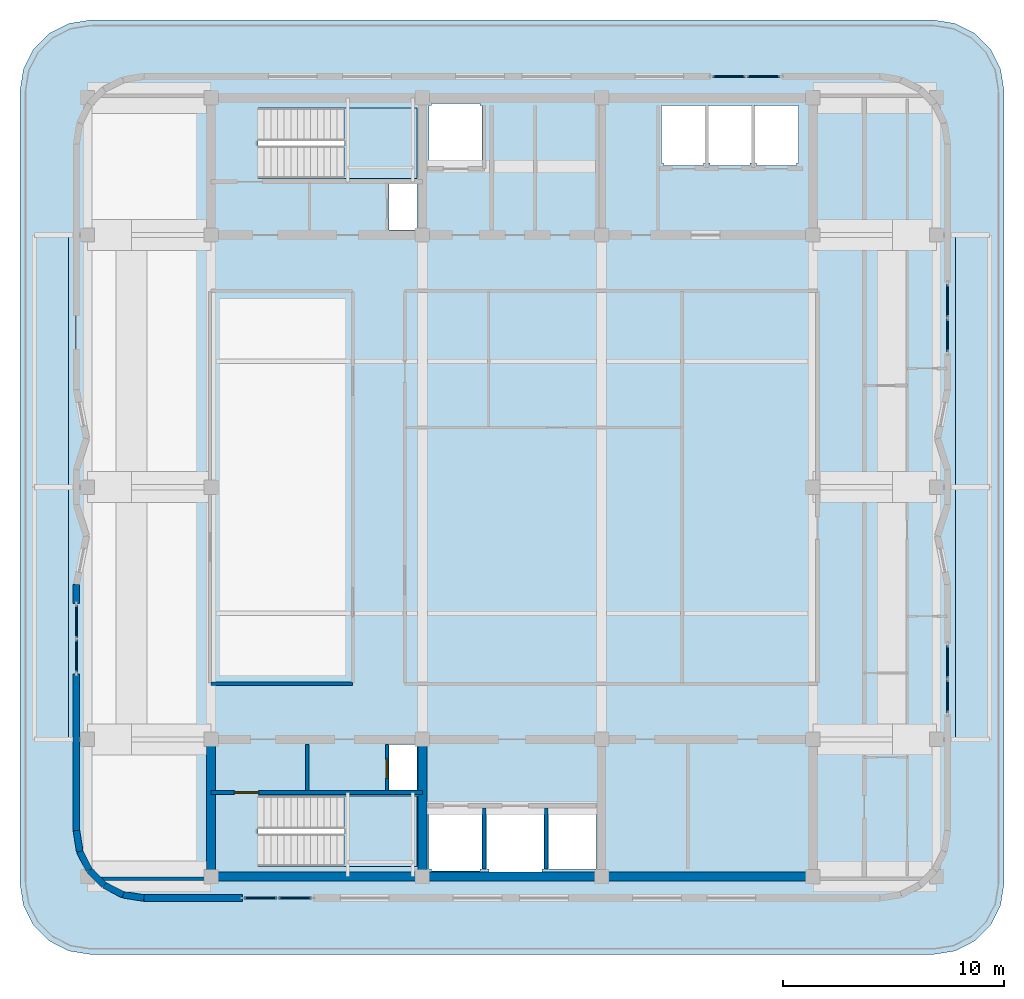
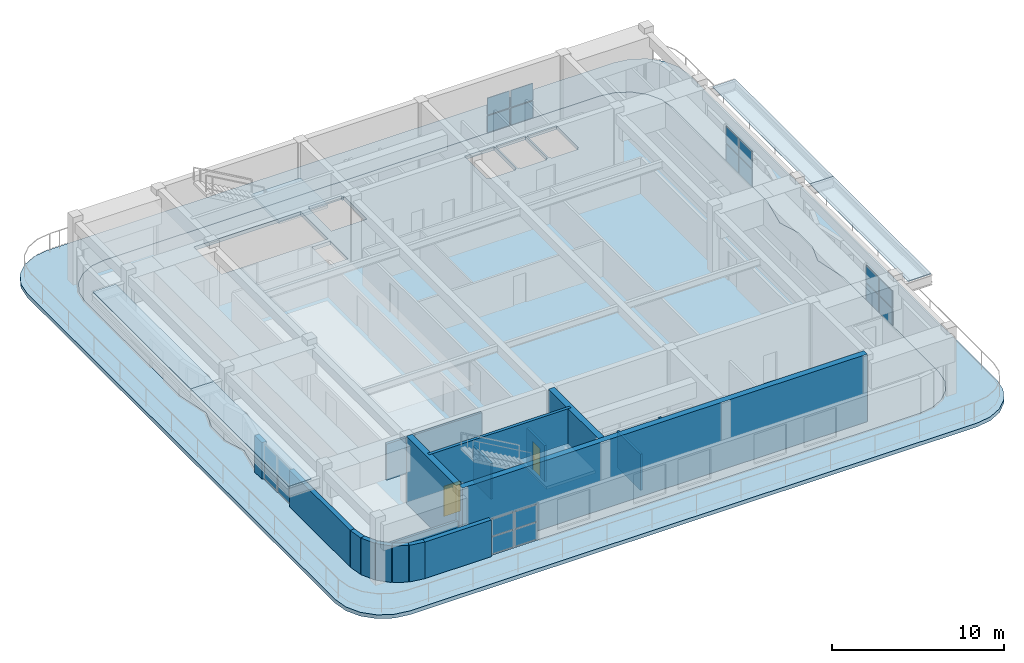
# One storey, part 5 of 12: 24 plates, 18 walls, 4 slabs, 2 doors, 2 openings, 7 elements without a shape of their own.
"""IFC4 building model written with IfcOpenShell, lengths in metres."""

from ifc_helpers import new_model, si_unit, direction, frame, frame_2d, origin, origin_2d, place, context, subcontext, project, spatial, polyline, rectangle, outline, extrude, material, layer, layer_set, type_object, element, fill, aggregate, save


model = new_model("IFC4")

# Units and contexts
model_context = context("Model", 3, precision=1e-05, world=origin(), true_north=direction((0.0, 1.0)))
body_context = subcontext(model_context, "Body", "Model", "MODEL_VIEW")
ifc_project = project(units=[si_unit("LENGTHUNIT", "METRE"), si_unit("AREAUNIT", "SQUARE_METRE"), si_unit("VOLUMEUNIT", "CUBIC_METRE"), si_unit("PLANEANGLEUNIT", "RADIAN"), si_unit("MASSUNIT", "GRAM", prefix="KILO")], contexts=[model_context])

# Site, building, storey
site_placement = place(None, origin())
site = spatial("IfcSite", under=ifc_project, at=site_placement, CompositionType="ELEMENT")
building_placement = place(site_placement, origin())
building = spatial("IfcBuilding", under=site, at=building_placement, Name="Svetorya Sky Lyceum", CompositionType="ELEMENT")
storey_placement = place(building_placement, frame((0.0, 0.0, 297.199951171875)))
storey = spatial("IfcBuildingStorey", under=building, at=storey_placement, Name="L75", CompositionType="ELEMENT", Elevation=297.199951171875)

# Curtain wall, plates
ifc_material_1 = material(Name="Thermally broken anodized aluminium and triple low-E glass", Category="aluminium")
curtain_wall_type = type_object("IfcCurtainWallType", Name="CW6-CRN-OBS", PredefinedType="NOTDEFINED", material=ifc_material_1)
curtain_wall_1_placement = place(storey_placement, origin())
curtain_wall_1 = element("IfcCurtainWall", 1, at=curtain_wall_1_placement, inside=storey, type_object=curtain_wall_type, Name="L75 Observatory Curtain Wall 6", PredefinedType="NOTDEFINED")
ifc_material_2 = material(Name="Acoustic laminated observatory triple glass", Category="glass")
ifc_layer_1 = layer(ifc_material_2, 0.055908203125)
ifc_layer_set_1 = layer_set([ifc_layer_1], Name="Acoustic laminated observatory triple glass")
plate_type_1 = type_object("IfcPlateType", Name="CWP-GLZ-56", PredefinedType="CURTAIN_PANEL", material=ifc_layer_set_1)
plate_1_placement = place(storey_placement, frame((27.831298828125, 9.6298828125, 0.073486328125), z_axis=(0.0, 0.0, 1.0), x_axis=(1.0, 0.0, 0.0)))
plate_1 = element("IfcPlate", 2, at=plate_1_placement, type_object=plate_type_1, Name="CW-6 panel 1.1", PredefinedType="CURTAIN_PANEL", context=body_context, shape_type="SweptSolid", body=[
    extrude(rectangle(XDim=1.4755859375, YDim=0.055908203125, at=origin_2d()), origin(), (0.0, 0.0, 1.0), 1.1904296875),
])
plate_2_placement = place(storey_placement, frame((27.831298828125, 9.6298828125, 1.336181640625), z_axis=(0.0, 0.0, 1.0), x_axis=(1.0, 0.0, 0.0)))
plate_2 = element("IfcPlate", 3, at=plate_2_placement, type_object=plate_type_1, Name="CW-6 panel 1.2", PredefinedType="CURTAIN_PANEL", context=body_context, shape_type="SweptSolid", body=[
    extrude(rectangle(XDim=1.4755859375, YDim=0.055908203125, at=origin_2d()), origin(), (0.0, 0.0, 1.0), 1.1904296875),
])
plate_3_placement = place(storey_placement, frame((29.388671875, 9.6298828125, 0.073486328125), z_axis=(0.0, 0.0, 1.0), x_axis=(1.0, 0.0, 0.0)))
plate_3 = element("IfcPlate", 4, at=plate_3_placement, type_object=plate_type_1, Name="CW-6 panel 2.1", PredefinedType="CURTAIN_PANEL", context=body_context, shape_type="SweptSolid", body=[
    extrude(rectangle(XDim=1.4755859375, YDim=0.055908203125, at=origin_2d()), origin(), (0.0, 0.0, 1.0), 1.1904296875),
])
plate_4_placement = place(storey_placement, frame((29.388671875, 9.6298828125, 1.336181640625), z_axis=(0.0, 0.0, 1.0), x_axis=(1.0, 0.0, 0.0)))
plate_4 = element("IfcPlate", 5, at=plate_4_placement, type_object=plate_type_1, Name="CW-6 panel 2.2", PredefinedType="CURTAIN_PANEL", context=body_context, shape_type="SweptSolid", body=[
    extrude(rectangle(XDim=1.4755859375, YDim=0.055908203125, at=origin_2d()), origin(), (0.0, 0.0, 1.0), 1.1904296875),
])
aggregate(curtain_wall_1, [plate_1, plate_2, plate_3, plate_4])

curtain_wall_2_placement = place(storey_placement, origin())
curtain_wall_2 = element("IfcCurtainWall", 6, at=curtain_wall_2_placement, inside=storey, type_object=curtain_wall_type, Name="L75 Observatory Curtain Wall 12", PredefinedType="NOTDEFINED")
plate_5_placement = place(storey_placement, frame((58.889892578125, 18.751220703125, 0.073486328125), z_axis=(0.0, 0.0, 1.0), x_axis=(0.0, 1.0, 0.0)))
plate_5 = element("IfcPlate", 7, at=plate_5_placement, type_object=plate_type_1, Name="CW-6 panel 1.1", PredefinedType="CURTAIN_PANEL", context=body_context, shape_type="SweptSolid", body=[
    extrude(rectangle(XDim=1.4755859375, YDim=0.055908203125, at=origin_2d()), origin(), (0.0, 0.0, 1.0), 1.1904296875),
])
plate_6_placement = place(storey_placement, frame((58.889892578125, 18.751220703125, 1.336181640625), z_axis=(0.0, 0.0, 1.0), x_axis=(0.0, 1.0, 0.0)))
plate_6 = element("IfcPlate", 8, at=plate_6_placement, type_object=plate_type_1, Name="CW-6 panel 1.2", PredefinedType="CURTAIN_PANEL", context=body_context, shape_type="SweptSolid", body=[
    extrude(rectangle(XDim=1.4755859375, YDim=0.055908203125, at=origin_2d()), origin(), (0.0, 0.0, 1.0), 1.1904296875),
])
plate_7_placement = place(storey_placement, frame((58.889892578125, 20.308837890625, 0.073486328125), z_axis=(0.0, 0.0, 1.0), x_axis=(0.0, 1.0, 0.0)))
plate_7 = element("IfcPlate", 9, at=plate_7_placement, type_object=plate_type_1, Name="CW-6 panel 2.1", PredefinedType="CURTAIN_PANEL", context=body_context, shape_type="SweptSolid", body=[
    extrude(rectangle(XDim=1.4755859375, YDim=0.055908203125, at=origin_2d()), origin(), (0.0, 0.0, 1.0), 1.1904296875),
])
plate_8_placement = place(storey_placement, frame((58.889892578125, 20.308837890625, 1.336181640625), z_axis=(0.0, 0.0, 1.0), x_axis=(0.0, 1.0, 0.0)))
plate_8 = element("IfcPlate", 10, at=plate_8_placement, type_object=plate_type_1, Name="CW-6 panel 2.2", PredefinedType="CURTAIN_PANEL", context=body_context, shape_type="SweptSolid", body=[
    extrude(rectangle(XDim=1.4755859375, YDim=0.055908203125, at=origin_2d()), origin(), (0.0, 0.0, 1.0), 1.1904296875),
])
aggregate(curtain_wall_2, [plate_5, plate_6, plate_7, plate_8])

curtain_wall_3_placement = place(storey_placement, origin())
curtain_wall_3 = element("IfcCurtainWall", 11, at=curtain_wall_3_placement, inside=storey, type_object=curtain_wall_type, Name="L75 Observatory Curtain Wall 18", PredefinedType="NOTDEFINED")
plate_9_placement = place(storey_placement, frame((58.889892578125, 35.0712890625, 0.073486328125), z_axis=(0.0, 0.0, 1.0), x_axis=(0.0, 1.0, 0.0)))
plate_9 = element("IfcPlate", 12, at=plate_9_placement, type_object=plate_type_1, Name="CW-6 panel 1.1", PredefinedType="CURTAIN_PANEL", context=body_context, shape_type="SweptSolid", body=[
    extrude(rectangle(XDim=1.4755859375, YDim=0.055908203125, at=origin_2d()), origin(), (0.0, 0.0, 1.0), 1.1904296875),
])
plate_10_placement = place(storey_placement, frame((58.889892578125, 35.0712890625, 1.336181640625), z_axis=(0.0, 0.0, 1.0), x_axis=(0.0, 1.0, 0.0)))
plate_10 = element("IfcPlate", 13, at=plate_10_placement, type_object=plate_type_1, Name="CW-6 panel 1.2", PredefinedType="CURTAIN_PANEL", context=body_context, shape_type="SweptSolid", body=[
    extrude(rectangle(XDim=1.4755859375, YDim=0.055908203125, at=origin_2d()), origin(), (0.0, 0.0, 1.0), 1.1904296875),
])
plate_11_placement = place(storey_placement, frame((58.889892578125, 36.628662109375, 0.073486328125), z_axis=(0.0, 0.0, 1.0), x_axis=(0.0, 1.0, 0.0)))
plate_11 = element("IfcPlate", 14, at=plate_11_placement, type_object=plate_type_1, Name="CW-6 panel 2.1", PredefinedType="CURTAIN_PANEL", context=body_context, shape_type="SweptSolid", body=[
    extrude(rectangle(XDim=1.4755859375, YDim=0.055908203125, at=origin_2d()), origin(), (0.0, 0.0, 1.0), 1.1904296875),
])
plate_12_placement = place(storey_placement, frame((58.889892578125, 36.628662109375, 1.336181640625), z_axis=(0.0, 0.0, 1.0), x_axis=(0.0, 1.0, 0.0)))
plate_12 = element("IfcPlate", 15, at=plate_12_placement, type_object=plate_type_1, Name="CW-6 panel 2.2", PredefinedType="CURTAIN_PANEL", context=body_context, shape_type="SweptSolid", body=[
    extrude(rectangle(XDim=1.4755859375, YDim=0.055908203125, at=origin_2d()), origin(), (0.0, 0.0, 1.0), 1.1904296875),
])
aggregate(curtain_wall_3, [plate_9, plate_10, plate_11, plate_12])

curtain_wall_4_placement = place(storey_placement, origin())
curtain_wall_4 = element("IfcCurtainWall", 16, at=curtain_wall_4_placement, inside=storey, type_object=curtain_wall_type, Name="L75 Observatory Curtain Wall 24", PredefinedType="NOTDEFINED")
plate_13_placement = place(storey_placement, frame((50.56884765625, 46.77001953125, 0.073486328125), z_axis=(0.0, 0.0, 1.0), x_axis=(-1.0, 0.0, 0.0)))
plate_13 = element("IfcPlate", 17, at=plate_13_placement, type_object=plate_type_1, Name="CW-6 panel 1.1", PredefinedType="CURTAIN_PANEL", context=body_context, shape_type="SweptSolid", body=[
    extrude(rectangle(XDim=1.4755859375, YDim=0.055908203125, at=origin_2d()), origin(), (0.0, 0.0, 1.0), 1.1904296875),
])
plate_14_placement = place(storey_placement, frame((50.56884765625, 46.77001953125, 1.336181640625), z_axis=(0.0, 0.0, 1.0), x_axis=(-1.0, 0.0, 0.0)))
plate_14 = element("IfcPlate", 18, at=plate_14_placement, type_object=plate_type_1, Name="CW-6 panel 1.2", PredefinedType="CURTAIN_PANEL", context=body_context, shape_type="SweptSolid", body=[
    extrude(rectangle(XDim=1.4755859375, YDim=0.055908203125, at=origin_2d()), origin(), (0.0, 0.0, 1.0), 1.1904296875),
])
plate_15_placement = place(storey_placement, frame((49.01123046875, 46.77001953125, 0.073486328125), z_axis=(0.0, 0.0, 1.0), x_axis=(-1.0, 0.0, 0.0)))
plate_15 = element("IfcPlate", 19, at=plate_15_placement, type_object=plate_type_1, Name="CW-6 panel 2.1", PredefinedType="CURTAIN_PANEL", context=body_context, shape_type="SweptSolid", body=[
    extrude(rectangle(XDim=1.4755859375, YDim=0.055908203125, at=origin_2d()), origin(), (0.0, 0.0, 1.0), 1.1904296875),
])
plate_16_placement = place(storey_placement, frame((49.01123046875, 46.77001953125, 1.336181640625), z_axis=(0.0, 0.0, 1.0), x_axis=(-1.0, 0.0, 0.0)))
plate_16 = element("IfcPlate", 20, at=plate_16_placement, type_object=plate_type_1, Name="CW-6 panel 2.2", PredefinedType="CURTAIN_PANEL", context=body_context, shape_type="SweptSolid", body=[
    extrude(rectangle(XDim=1.4755859375, YDim=0.055908203125, at=origin_2d()), origin(), (0.0, 0.0, 1.0), 1.1904296875),
])
aggregate(curtain_wall_4, [plate_13, plate_14, plate_15, plate_16])

curtain_wall_5_placement = place(storey_placement, origin())
curtain_wall_5 = element("IfcCurtainWall", 21, at=curtain_wall_5_placement, inside=storey, type_object=curtain_wall_type, Name="L75 Observatory Curtain Wall 36", PredefinedType="NOTDEFINED")
plate_17_placement = place(storey_placement, frame((19.510009765625, 22.128662109375, 0.073486328125), z_axis=(0.0, 0.0, 1.0), x_axis=(0.0, -1.0, 0.0)))
plate_17 = element("IfcPlate", 22, at=plate_17_placement, type_object=plate_type_1, Name="CW-6 panel 1.1", PredefinedType="CURTAIN_PANEL", context=body_context, shape_type="SweptSolid", body=[
    extrude(rectangle(XDim=1.4755859375, YDim=0.055908203125, at=origin_2d()), origin(), (0.0, 0.0, 1.0), 1.1904296875),
])
plate_18_placement = place(storey_placement, frame((19.510009765625, 22.128662109375, 1.336181640625), z_axis=(0.0, 0.0, 1.0), x_axis=(0.0, -1.0, 0.0)))
plate_18 = element("IfcPlate", 23, at=plate_18_placement, type_object=plate_type_1, Name="CW-6 panel 1.2", PredefinedType="CURTAIN_PANEL", context=body_context, shape_type="SweptSolid", body=[
    extrude(rectangle(XDim=1.4755859375, YDim=0.055908203125, at=origin_2d()), origin(), (0.0, 0.0, 1.0), 1.1904296875),
])
plate_19_placement = place(storey_placement, frame((19.510009765625, 20.5712890625, 0.073486328125), z_axis=(0.0, 0.0, 1.0), x_axis=(0.0, -1.0, 0.0)))
plate_19 = element("IfcPlate", 24, at=plate_19_placement, type_object=plate_type_1, Name="CW-6 panel 2.1", PredefinedType="CURTAIN_PANEL", context=body_context, shape_type="SweptSolid", body=[
    extrude(rectangle(XDim=1.4755859375, YDim=0.055908203125, at=origin_2d()), origin(), (0.0, 0.0, 1.0), 1.1904296875),
])
plate_20_placement = place(storey_placement, frame((19.510009765625, 20.5712890625, 1.336181640625), z_axis=(0.0, 0.0, 1.0), x_axis=(0.0, -1.0, 0.0)))
plate_20 = element("IfcPlate", 25, at=plate_20_placement, type_object=plate_type_1, Name="CW-6 panel 2.2", PredefinedType="CURTAIN_PANEL", context=body_context, shape_type="SweptSolid", body=[
    extrude(rectangle(XDim=1.4755859375, YDim=0.055908203125, at=origin_2d()), origin(), (0.0, 0.0, 1.0), 1.1904296875),
])
aggregate(curtain_wall_5, [plate_17, plate_18, plate_19, plate_20])

# Plates
ifc_material_3 = material(Name="Steel S355", Category="steel")
ifc_layer_2 = layer(ifc_material_3, 0.044921875)
ifc_layer_set_2 = layer_set([ifc_layer_2], Name="Steel S355")
plate_type_2 = type_object("IfcPlateType", Name="PL-CANOPY-45", PredefinedType="SHEET", material=ifc_layer_set_2)
for number, where, z_axis, x_axis, name in (
    (26, (18.385009765625, 22.5, 3.796630859375), (0.0, 0.0, 1.0), (1.0, 0.0, 0.0), "Orbital Canopy Soffit Panel W1"),
    (27, (18.385009765625, 33.89990234375, 3.796630859375), (0.0, 0.0, 1.0), (1.0, 0.0, 0.0), "Orbital Canopy Soffit Panel W2"),
    (28, (60.014892578125, 22.5, 3.796630859375), (0.0, 0.0, 1.0), (1.0, 0.0, 0.0), "Orbital Canopy Soffit Panel E1"),
    (29, (60.014892578125, 33.89990234375, 3.796630859375), (0.0, 0.0, 1.0), (1.0, 0.0, 0.0), "Orbital Canopy Soffit Panel E2"),
):
    element("IfcPlate", number, at=place(storey_placement, frame(where, z_axis=z_axis, x_axis=x_axis)), inside=storey, type_object=plate_type_2, Name=name, PredefinedType="SHEET", context=body_context, shape_type="SweptSolid", body=[
        extrude(rectangle(XDim=1.550048828125, YDim=11.39990234375, at=origin_2d()), origin(), (0.0, 0.0, 1.0), 0.044921875),
    ])

# Slabs
ifc_material_4 = material(Name="Concrete C40/50", Category="concrete")
ifc_layer_3 = layer(ifc_material_4, 0.27001953125)
ifc_layer_set_3 = layer_set([ifc_layer_3], Name="Concrete C40/50")
slab_type_1 = type_object("IfcSlabType", Name="SL-DECK-270", PredefinedType="FLOOR", material=ifc_layer_set_3)
slab_1_placement = place(storey_placement, frame((0.0, 0.0, -0.27001953125)))
element("IfcSlab", 30, at=slab_1_placement, inside=storey, type_object=slab_type_1, Name="L75 Structural Floor Slab", PredefinedType="FLOOR", context=body_context, shape_type="SweptSolid", body=[
    extrude(outline(polyline([(19.47998046875, 12.679931640625), (19.630615234375, 11.728271484375), (20.068115234375, 10.86962890625), (20.74951171875, 10.188232421875), (21.608154296875, 9.750732421875), (22.56005859375, 9.60009765625), (55.840087890625, 9.60009765625), (56.791748046875, 9.750732421875), (57.650390625, 10.188232421875), (58.331787109375, 10.86962890625), (58.769287109375, 11.728271484375), (58.919921875, 12.679931640625), (58.919921875, 23.800048828125), (58.469970703125, 26.0), (58.919921875, 27.39990234375), (58.919921875, 29.0), (58.469970703125, 30.39990234375), (58.919921875, 32.60009765625), (58.919921875, 43.719970703125), (58.769287109375, 44.671875), (58.331787109375, 45.530517578125), (57.650390625, 46.2119140625), (56.791748046875, 46.6494140625), (55.840087890625, 46.800048828125), (22.56005859375, 46.800048828125), (21.608154296875, 46.6494140625), (20.74951171875, 46.2119140625), (20.068115234375, 45.530517578125), (19.630615234375, 44.671875), (19.47998046875, 43.719970703125), (19.47998046875, 32.60009765625), (19.929931640625, 30.39990234375), (19.47998046875, 29.0), (19.47998046875, 27.39990234375), (19.929931640625, 26.0), (19.47998046875, 23.800048828125), (19.47998046875, 12.679931640625)]), holes=[polyline([(37.85009765625, 10.949951171875), (37.75, 10.949951171875), (37.75, 10.85009765625), (35.550048828125, 10.85009765625), (35.550048828125, 10.949951171875), (35.449951171875, 10.949951171875), (35.449951171875, 13.64990234375), (35.550048828125, 13.64990234375), (37.75, 13.64990234375), (37.85009765625, 13.64990234375), (37.85009765625, 10.949951171875)]), polyline([(38.14990234375, 10.800048828125), (38.14990234375, 10.949951171875), (38.050048828125, 10.949951171875), (38.050048828125, 13.64990234375), (38.14990234375, 13.64990234375), (38.14990234375, 13.699951171875), (40.550048828125, 13.699951171875), (40.550048828125, 13.64990234375), (40.64990234375, 13.64990234375), (40.64990234375, 10.949951171875), (40.550048828125, 10.949951171875), (40.550048828125, 10.800048828125), (38.14990234375, 10.800048828125)]), polyline([(27.719970703125, 11.050048828125), (27.719970703125, 14.25), (34.89990234375, 14.25), (34.89990234375, 11.050048828125), (27.719970703125, 11.050048828125)]), polyline([(33.64990234375, 14.52001953125), (33.64990234375, 16.580078125), (34.89990234375, 16.580078125), (34.89990234375, 14.52001953125), (33.64990234375, 14.52001953125)]), polyline([(33.64990234375, 39.820068359375), (33.64990234375, 41.89990234375), (34.89990234375, 41.89990234375), (34.89990234375, 39.820068359375), (33.64990234375, 39.820068359375)]), polyline([(27.719970703125, 42.14990234375), (27.719970703125, 45.35009765625), (34.89990234375, 45.35009765625), (34.89990234375, 42.14990234375), (27.719970703125, 42.14990234375)]), polyline([(37.75, 42.75), (35.550048828125, 42.75), (35.449951171875, 42.75), (35.449951171875, 45.449951171875), (35.550048828125, 45.449951171875), (35.550048828125, 45.550048828125), (37.75, 45.550048828125), (37.75, 45.449951171875), (37.85009765625, 45.449951171875), (37.85009765625, 42.75), (37.75, 42.75)]), polyline([(40.85009765625, 10.949951171875), (40.85009765625, 13.64990234375), (43.0, 13.64990234375), (43.0, 10.949951171875), (40.85009765625, 10.949951171875)]), polyline([(46.050048828125, 42.75), (46.050048828125, 42.85009765625), (45.949951171875, 42.85009765625), (45.949951171875, 45.449951171875), (46.050048828125, 45.449951171875), (47.85009765625, 45.449951171875), (47.949951171875, 45.449951171875), (47.949951171875, 42.85009765625), (47.85009765625, 42.85009765625), (47.85009765625, 42.75), (46.050048828125, 42.75)]), polyline([(50.050048828125, 42.85009765625), (49.949951171875, 42.85009765625), (49.949951171875, 42.75), (48.14990234375, 42.75), (48.14990234375, 42.85009765625), (48.050048828125, 42.85009765625), (48.050048828125, 45.449951171875), (48.14990234375, 45.449951171875), (49.949951171875, 45.449951171875), (50.050048828125, 45.449951171875), (50.050048828125, 42.85009765625)]), polyline([(52.14990234375, 42.85009765625), (52.050048828125, 42.85009765625), (52.050048828125, 42.75), (50.25, 42.75), (50.25, 42.85009765625), (50.14990234375, 42.85009765625), (50.14990234375, 45.449951171875), (50.25, 45.449951171875), (52.050048828125, 45.449951171875), (52.14990234375, 45.449951171875), (52.14990234375, 42.85009765625)])]), origin(), (0.0, 0.0, 1.0), 0.27001953125),
])
ifc_layer_4 = layer(ifc_material_4, 0.27001953125)
ifc_layer_set_4 = layer_set([ifc_layer_4], Name="Concrete C40/50")
slab_type_2 = type_object("IfcSlabType", Name="SL-ROOF-270", PredefinedType="ROOF", material=ifc_layer_set_4)
slab_2_placement = place(storey_placement, frame((0.0, 0.0, -0.27001953125)))
element("IfcSlab", 31, at=slab_2_placement, inside=storey, type_object=slab_type_2, Name="L75 Sky Observatory Lookout Terrace Ring", PredefinedType="ROOF", context=body_context, shape_type="SweptSolid", body=[
    extrude(outline(polyline([(16.9599609375, 10.280029296875), (17.11669921875, 9.291015625), (17.571044921875, 8.399169921875), (18.279052734375, 7.691162109375), (19.171142578125, 7.236572265625), (20.159912109375, 7.080078125), (58.239990234375, 7.080078125), (59.22900390625, 7.236572265625), (60.120849609375, 7.691162109375), (60.828857421875, 8.399169921875), (61.283447265625, 9.291015625), (61.43994140625, 10.280029296875), (61.43994140625, 46.1201171875), (61.283447265625, 47.10888671875), (60.828857421875, 48.0009765625), (60.120849609375, 48.708984375), (59.22900390625, 49.163330078125), (58.239990234375, 49.320068359375), (20.159912109375, 49.320068359375), (19.171142578125, 49.163330078125), (18.279052734375, 48.708984375), (17.571044921875, 48.0009765625), (17.11669921875, 47.10888671875), (16.9599609375, 46.1201171875), (16.9599609375, 10.280029296875)]), holes=[polyline([(19.47998046875, 12.679931640625), (19.630615234375, 11.728271484375), (20.068115234375, 10.86962890625), (20.74951171875, 10.188232421875), (21.608154296875, 9.750732421875), (22.56005859375, 9.60009765625), (55.840087890625, 9.60009765625), (56.791748046875, 9.750732421875), (57.650390625, 10.188232421875), (58.331787109375, 10.86962890625), (58.769287109375, 11.728271484375), (58.919921875, 12.679931640625), (58.919921875, 23.800048828125), (58.469970703125, 26.0), (58.919921875, 27.39990234375), (58.919921875, 29.0), (58.469970703125, 30.39990234375), (58.919921875, 32.60009765625), (58.919921875, 43.719970703125), (58.769287109375, 44.671875), (58.331787109375, 45.530517578125), (57.650390625, 46.2119140625), (56.791748046875, 46.6494140625), (55.840087890625, 46.800048828125), (22.56005859375, 46.800048828125), (21.608154296875, 46.6494140625), (20.74951171875, 46.2119140625), (20.068115234375, 45.530517578125), (19.630615234375, 44.671875), (19.47998046875, 43.719970703125), (19.47998046875, 32.60009765625), (19.929931640625, 30.39990234375), (19.47998046875, 29.0), (19.47998046875, 27.39990234375), (19.929931640625, 26.0), (19.47998046875, 23.800048828125), (19.47998046875, 12.679931640625)])]), origin(), (0.0, 0.0, 1.0), 0.27001953125),
])

# Stair, slab
stair_type_1 = type_object("IfcStairType", Name="STR-ST-S", PredefinedType="HALF_TURN_STAIR", material=ifc_material_4)
stair_1_placement = place(storey_placement, origin())
stair_1 = element("IfcStair", 32, at=stair_1_placement, inside=storey, type_object=stair_type_1, Name="L75 South Core Smoke-Free Exit Stair N2", PredefinedType="HALF_TURN_STAIR")
ifc_layer_5 = layer(ifc_material_4, 0.199951171875)
ifc_layer_set_5 = layer_set([ifc_layer_5], Name="Concrete C40/50")
slab_type_3 = type_object("IfcSlabType", Name="SL-STR-LAND-200", PredefinedType="LANDING", material=ifc_layer_set_5)
slab_3_placement = place(storey_placement, frame((0.0, 0.0, 2.199951171875)))
slab_3 = element("IfcSlab", 33, at=slab_3_placement, type_object=slab_type_3, Name="ST-S landing 1", PredefinedType="LANDING", context=body_context, shape_type="SweptSolid", body=[
    extrude(outline(polyline([(31.60009765625, 11.050048828125), (34.89990234375, 11.050048828125), (34.89990234375, 14.25), (31.60009765625, 14.25), (31.60009765625, 11.050048828125)])), origin(), (0.0, 0.0, 1.0), 0.2001953125),
])
aggregate(stair_1, [slab_3])

stair_type_2 = type_object("IfcStairType", Name="STR-ST-N", PredefinedType="HALF_TURN_STAIR", material=ifc_material_4)
stair_2_placement = place(storey_placement, origin())
stair_2 = element("IfcStair", 34, at=stair_2_placement, inside=storey, type_object=stair_type_2, Name="L75 North Core Smoke-Free Exit Stair N3", PredefinedType="HALF_TURN_STAIR")
slab_4_placement = place(storey_placement, frame((0.0, 0.0, 2.199951171875)))
slab_4 = element("IfcSlab", 35, at=slab_4_placement, type_object=slab_type_3, Name="ST-N landing 1", PredefinedType="LANDING", context=body_context, shape_type="SweptSolid", body=[
    extrude(outline(polyline([(31.60009765625, 42.14990234375), (34.89990234375, 42.14990234375), (34.89990234375, 45.35009765625), (31.60009765625, 45.35009765625), (31.60009765625, 42.14990234375)])), origin(), (0.0, 0.0, 1.0), 0.2001953125),
])
aggregate(stair_2, [slab_4])

# Walls
ifc_layer_6 = layer(ifc_material_4, 0.39990234375)
ifc_layer_set_6 = layer_set([ifc_layer_6], Name="Concrete C40/50")
wall_type_1 = type_object("IfcWallType", Name="WL-CORE-400", PredefinedType="SHEAR", material=ifc_layer_set_6)
wall_1_placement = place(storey_placement, frame((52.800048828125, 10.60009765625, 0.0), z_axis=(0.0, 0.0, 1.0), x_axis=(-1.0, 0.0, 0.0)))
element("IfcWall", 36, at=wall_1_placement, inside=storey, type_object=wall_type_1, Name="L75 SC Outer Core Shear Wall", PredefinedType="SHEAR", context=body_context, shape_type="SweptSolid", body=[
    extrude(rectangle(XDim=27.199951171875, YDim=0.39990234375, at=frame_2d((13.60009765625, 0.0))), origin(), (0.0, 0.0, 1.0), 4.800048828125),
])
for number, where, z_axis, x_axis, name in (
    (37, (25.60009765625, 10.800048828125, 0.0), (0.0, 0.0, 1.0), (0.0, 1.0, 0.0), "L75 SC West Core Shear Wall"),
    (38, (35.14990234375, 10.800048828125, 0.0), (0.0, 0.0, 1.0), (0.0, 1.0, 0.0), "L75 SC Internal Shear Web WEB1"),
):
    element("IfcWall", number, at=place(storey_placement, frame(where, z_axis=z_axis, x_axis=x_axis)), inside=storey, type_object=wall_type_1, Name=name, PredefinedType="SHEAR", context=body_context, shape_type="SweptSolid", body=[
        extrude(rectangle(XDim=5.800048828125, YDim=0.39990234375, at=frame_2d((2.89990234375, 0.0))), origin(), (0.0, 0.0, 1.0), 4.800048828125),
    ])
ifc_material_5 = material(Name="Putilovo limestone rainscreen on autoclaved cellular masonry", Category="masonry")
ifc_layer_7 = layer(ifc_material_5, 0.300048828125)
ifc_layer_set_7 = layer_set([ifc_layer_7], Name="Putilovo limestone rainscreen on autoclaved cellular masonry")
wall_type_2 = type_object("IfcWallType", Name="WL-EXT-300", PredefinedType="SOLIDWALL", material=ifc_layer_set_7)
wall_2_placement = place(storey_placement, frame((19.510009765625, 12.679931640625, 0.0), z_axis=(0.0, 0.0, 1.0), x_axis=(0.156343617883, -0.987702725088, 0.0)))
element("IfcWall", 39, at=wall_2_placement, inside=storey, type_object=wall_type_2, Name="L75 Limestone Exterior Wall 1M", PredefinedType="SOLIDWALL", context=body_context, shape_type="SweptSolid", body=[
    extrude(rectangle(XDim=0.9541015625, YDim=0.300048828125, at=frame_2d((0.47705078125, 0.0))), origin(), (0.0, 0.0, 1.0), 2.60009765625),
])
for number, where, z_axis, x_axis, name in (
    (40, (19.6591796875, 11.737548828125, 0.0), (0.0, 0.0, 1.0), (0.454056065666, -0.890973113642, 0.0), "L75 Limestone Exterior Wall 2M"),
    (41, (20.092529296875, 10.88720703125, 0.0), (0.0, 0.0, 1.0), (0.707106781187, -0.707106781187, 0.0), "L75 Limestone Exterior Wall 3M"),
):
    element("IfcWall", number, at=place(storey_placement, frame(where, z_axis=z_axis, x_axis=x_axis)), inside=storey, type_object=wall_type_2, Name=name, PredefinedType="SOLIDWALL", context=body_context, shape_type="SweptSolid", body=[
        extrude(rectangle(XDim=0.954345703125, YDim=0.300048828125, at=frame_2d((0.47705078125, 0.0))), origin(), (0.0, 0.0, 1.0), 2.60009765625),
    ])
wall_3_placement = place(storey_placement, frame((20.767333984375, 10.21240234375, 0.0), z_axis=(0.0, 0.0, 1.0), x_axis=(0.891023873617, -0.45395644796, 0.0)))
element("IfcWall", 42, at=wall_3_placement, inside=storey, type_object=wall_type_2, Name="L75 Limestone Exterior Wall 4M", PredefinedType="SOLIDWALL", context=body_context, shape_type="SweptSolid", body=[
    extrude(rectangle(XDim=0.9541015625, YDim=0.300048828125, at=frame_2d((0.47705078125, 0.0))), origin(), (0.0, 0.0, 1.0), 2.60009765625),
])
wall_4_placement = place(storey_placement, frame((21.617431640625, 9.779296875, 0.0), z_axis=(0.0, 0.0, 1.0), x_axis=(0.987669453596, -0.156553666304, 0.0)))
element("IfcWall", 43, at=wall_4_placement, inside=storey, type_object=wall_type_2, Name="L75 Limestone Exterior Wall 5M", PredefinedType="SOLIDWALL", context=body_context, shape_type="SweptSolid", body=[
    extrude(rectangle(XDim=0.954345703125, YDim=0.300048828125, at=frame_2d((0.47705078125, 0.0))), origin(), (0.0, 0.0, 1.0), 2.60009765625),
])
wall_5_placement = place(storey_placement, frame((22.56005859375, 9.6298828125, 0.0), z_axis=(0.0, 0.0, 1.0), x_axis=(1.0, 0.0, 0.0)))
element("IfcWall", 44, at=wall_5_placement, inside=storey, type_object=wall_type_2, Name="L75 Limestone Exterior Wall 6A", PredefinedType="SOLIDWALL", context=body_context, shape_type="SweptSolid", body=[
    extrude(rectangle(XDim=4.449951171875, YDim=0.300048828125, at=frame_2d((2.22509765625, 0.0))), origin(), (0.0, 0.0, 1.0), 2.60009765625),
])
wall_6_placement = place(storey_placement, frame((19.510009765625, 23.800048828125, 0.0), z_axis=(0.0, 0.0, 1.0), x_axis=(0.0, -1.0, 0.0)))
element("IfcWall", 45, at=wall_6_placement, inside=storey, type_object=wall_type_2, Name="L75 Limestone Exterior Wall 36A", PredefinedType="SOLIDWALL", context=body_context, shape_type="SweptSolid", body=[
    extrude(rectangle(XDim=0.85009765625, YDim=0.300048828125, at=frame_2d((0.425048828125, 0.0))), origin(), (0.0, 0.0, 1.0), 2.60009765625),
])
wall_7_placement = place(storey_placement, frame((19.510009765625, 19.75, 0.0), z_axis=(0.0, 0.0, 1.0), x_axis=(0.0, -1.0, 0.0)))
element("IfcWall", 46, at=wall_7_placement, inside=storey, type_object=wall_type_2, Name="L75 Limestone Exterior Wall 36B", PredefinedType="SOLIDWALL", context=body_context, shape_type="SweptSolid", body=[
    extrude(rectangle(XDim=7.070068359375, YDim=0.300048828125, at=frame_2d((3.53515625, 0.0))), origin(), (0.0, 0.0, 1.0), 2.60009765625),
])
ifc_material_6 = material(Name="Autoclaved cellular masonry blockwork with acoustic render", Category="masonry")
ifc_layer_8 = layer(ifc_material_6, 0.14990234375)
ifc_layer_set_8 = layer_set([ifc_layer_8], Name="Autoclaved cellular masonry blockwork with acoustic render")
wall_type_3 = type_object("IfcWallType", Name="WL-PART-150", PredefinedType="PARTITIONING", material=ifc_layer_set_8)
wall_8_placement = place(storey_placement, frame((29.949951171875, 14.5, 0.0), z_axis=(0.0, 0.0, 1.0), x_axis=(0.0, 1.0, 0.0)))
element("IfcWall", 47, at=wall_8_placement, inside=storey, type_object=wall_type_3, Name="L75 Interior Partition SC-SWD1", PredefinedType="PARTITIONING", context=body_context, shape_type="SweptSolid", body=[
    extrude(rectangle(XDim=2.080078125, YDim=0.14990234375, at=frame_2d((1.0400390625, 0.0))), origin(), (0.0, 0.0, 1.0), 2.56005859375),
])

# Wall, opening, door
wall_9_placement = place(storey_placement, frame((33.550048828125, 14.5, 0.0), z_axis=(0.0, 0.0, 1.0), x_axis=(0.0, 1.0, 0.0)))
wall_9 = element("IfcWall", 48, at=wall_9_placement, inside=storey, type_object=wall_type_3, Name="L75 Interior Partition SC-SWD2", PredefinedType="PARTITIONING", context=body_context, shape_type="SweptSolid", body=[
    extrude(rectangle(XDim=2.080078125, YDim=0.14990234375, at=frame_2d((1.0400390625, 0.0))), origin(), (0.0, 0.0, 1.0), 2.56005859375),
])
opening_1_placement = place(wall_9_placement, frame((0.550048828125, 0.0, 0.0)))
opening_1 = element("IfcOpeningElement", 49, at=opening_1_placement, cuts=wall_9, Name="Opening D-SH1", PredefinedType="OPENING", context=body_context, shape_type="SweptSolid", body=[
    extrude(rectangle(XDim=0.85009765625, YDim=2.050048828125, at=frame_2d((0.425048828125, 1.02490234375))), frame((0.0, 0.0849609375, 0.0), z_axis=(0.0, -1.0, 0.0), x_axis=(1.0, 0.0, 0.0)), (0.0, 0.0, 1.0), 0.169921875),
])
ifc_material_7 = material(Name="Insulated galvanized riser inspection fire door")
door_type_1 = type_object("IfcDoorType", Name="DR-SHFT-850", OperationType="SINGLE_SWING_LEFT", PredefinedType="TRAPDOOR", material=ifc_material_7)
door_1_placement = place(opening_1_placement, origin())
door_1 = element("IfcDoor", 50, at=door_1_placement, inside=storey, type_object=door_type_1, Name="L75 South Riser Access Door", OperationType="SINGLE_SWING_RIGHT", OverallHeight=2.050048828125, OverallWidth=0.85009765625, PredefinedType="TRAPDOOR", context=body_context, shape_type="SweptSolid", body=[
    extrude(rectangle(XDim=0.85009765625, YDim=2.050048828125, at=frame_2d((0.425048828125, 1.02490234375))), frame((0.0, 0.02490234375, 0.0), z_axis=(0.0, -1.0, 0.0), x_axis=(1.0, 0.0, 0.0)), (0.0, 0.0, 1.0), 0.050048828125),
])
fill(opening_1, door_1)

# Walls
for number, where, z_axis, x_axis, name in (
    (51, (37.949951171875, 10.949951171875, 0.0), (0.0, 0.0, 1.0), (0.0, 1.0, 0.0), "L75 Interior Partition SC-SHD1"),
    (52, (40.75, 10.949951171875, 0.0), (0.0, 0.0, 1.0), (0.0, 1.0, 0.0), "L75 Interior Partition SC-SHD2"),
):
    element("IfcWall", number, at=place(storey_placement, frame(where, z_axis=z_axis, x_axis=x_axis)), inside=storey, type_object=wall_type_3, Name=name, PredefinedType="PARTITIONING", context=body_context, shape_type="SweptSolid", body=[
        extrude(rectangle(XDim=2.75, YDim=0.14990234375, at=frame_2d((1.375, 0.0))), origin(), (0.0, 0.0, 1.0), 2.56005859375),
    ])
wall_10_placement = place(storey_placement, frame((25.60009765625, 19.320068359375, 0.0), z_axis=(0.0, 0.0, 1.0), x_axis=(1.0, 0.0, 0.0)))
element("IfcWall", 53, at=wall_10_placement, inside=storey, type_object=wall_type_3, Name="L75 Interior Partition OBS-GWS", PredefinedType="PARTITIONING", context=body_context, shape_type="SweptSolid", body=[
    extrude(rectangle(XDim=6.39990234375, YDim=0.14990234375, at=frame_2d((3.199951171875, 0.0))), origin(), (0.0, 0.0, 1.0), 2.56005859375),
])
wall_11_placement = place(storey_placement, frame((20.440185546875, 10.5, 0.0), z_axis=(0.0, 0.0, 1.0), x_axis=(1.0, 0.0, 0.0)))
element("IfcWall", 54, at=wall_11_placement, inside=storey, type_object=wall_type_3, Name="L75 Interior Partition OBS-WS", PredefinedType="PARTITIONING", context=body_context, shape_type="SweptSolid", body=[
    extrude(rectangle(XDim=4.85986328125, YDim=0.14990234375, at=frame_2d((2.429931640625, 0.0))), origin(), (0.0, 0.0, 1.0), 2.56005859375),
])

# Wall, opening, door
ifc_material_8 = material(Name="Concrete C50/60", Category="concrete")
ifc_layer_9 = layer(ifc_material_8, 0.199951171875)
ifc_layer_set_9 = layer_set([ifc_layer_9], Name="Concrete C50/60")
wall_type_4 = type_object("IfcWallType", Name="WL-SHW-200", PredefinedType="SHEAR", material=ifc_layer_set_9)
wall_12_placement = place(storey_placement, frame((25.60009765625, 14.39990234375, 0.0), z_axis=(0.0, 0.0, 1.0), x_axis=(1.0, 0.0, 0.0)))
wall_12 = element("IfcWall", 55, at=wall_12_placement, inside=storey, type_object=wall_type_4, Name="L75 Structural Stair Shaft Wall SC-STW", PredefinedType="SHEAR", context=body_context, shape_type="SweptSolid", body=[
    extrude(rectangle(XDim=9.5498046875, YDim=0.199951171875, at=frame_2d((4.77490234375, 0.0))), origin(), (0.0, 0.0, 1.0), 4.800048828125),
])
opening_2_placement = place(wall_12_placement, frame((1.050048828125, 0.0, 0.0)))
opening_2 = element("IfcOpeningElement", 56, at=opening_2_placement, cuts=wall_12, Name="Opening D-ST1", PredefinedType="OPENING", context=body_context, shape_type="SweptSolid", body=[
    extrude(rectangle(XDim=1.10009765625, YDim=2.14990234375, at=frame_2d((0.550048828125, 1.074951171875))), frame((0.0, 0.10986328125, 0.0), z_axis=(0.0, -1.0, 0.0), x_axis=(1.0, 0.0, 0.0)), (0.0, 0.0, 1.0), 0.219970703125),
])
ifc_material_9 = material(Name="Powder-coated insulated galvanized stair fire door")
door_type_2 = type_object("IfcDoorType", Name="DR-FIRE-1100", OperationType="SINGLE_SWING_LEFT", PredefinedType="DOOR", material=ifc_material_9)
door_2_placement = place(opening_2_placement, origin())
door_2 = element("IfcDoor", 57, at=door_2_placement, inside=storey, type_object=door_type_2, Name="L75 Stair ST-S Vestibule Fire Door", OperationType="SINGLE_SWING_LEFT", OverallHeight=2.14990234375, OverallWidth=1.10009765625, PredefinedType="DOOR", context=body_context, shape_type="SweptSolid", body=[
    extrude(rectangle(XDim=1.10009765625, YDim=2.14990234375, at=frame_2d((0.550048828125, 1.074951171875))), frame((0.0, 0.02490234375, 0.0), z_axis=(0.0, -1.0, 0.0), x_axis=(1.0, 0.0, 0.0)), (0.0, 0.0, 1.0), 0.050048828125),
])
fill(opening_2, door_2)

save(model, "model.ifc")
